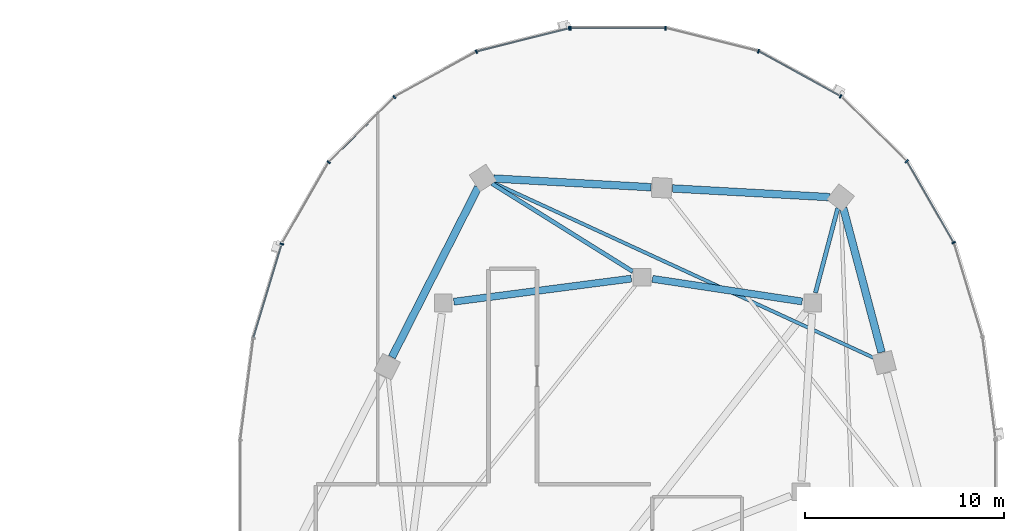
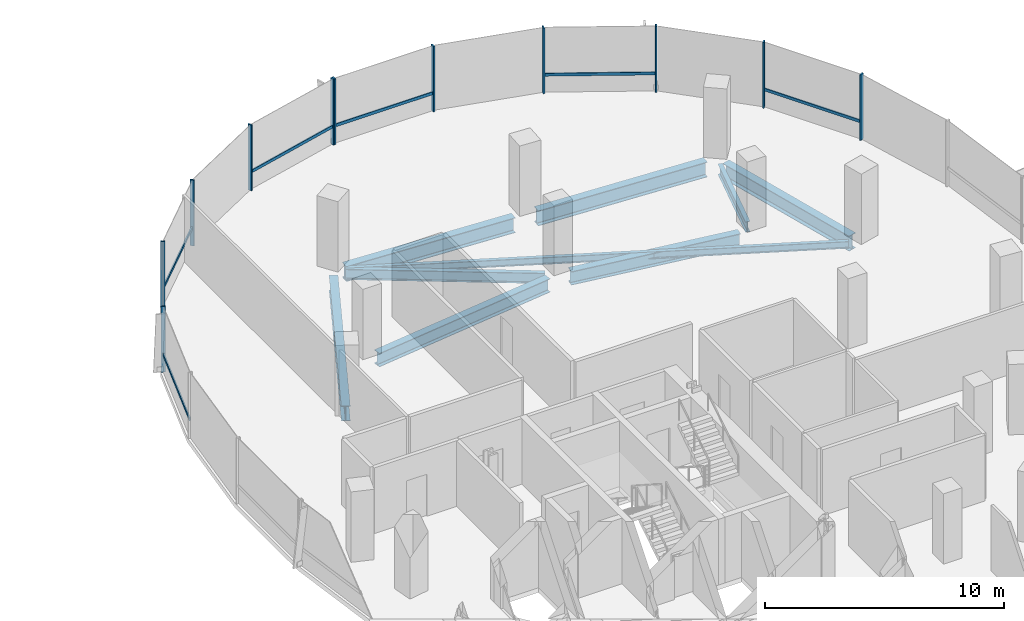
# One storey, part 9 of 22: 17 members, 9 beams, 2 elements without a shape of their own.
"""IFC4 building model written with IfcOpenShell, lengths in metres."""

from ifc_helpers import new_model, si_unit, direction, frame, origin, origin_2d, place, context, subcontext, project, spatial, rectangle, i_section, extrude, material, material_profile, profile_set, type_object, element, aggregate, save


model = new_model("IFC4")

# Units and contexts
model_context = context("Model", 3, precision=1e-05, world=origin(), true_north=direction((0.0, 1.0)))
body_context = subcontext(model_context, "Body", "Model", "MODEL_VIEW")
ifc_project = project(units=[si_unit("LENGTHUNIT", "METRE"), si_unit("AREAUNIT", "SQUARE_METRE"), si_unit("VOLUMEUNIT", "CUBIC_METRE"), si_unit("PLANEANGLEUNIT", "RADIAN"), si_unit("MASSUNIT", "GRAM", prefix="KILO"), si_unit("THERMODYNAMICTEMPERATUREUNIT", "KELVIN"), si_unit("POWERUNIT", "WATT")], contexts=[model_context])

# Site, building, storey
site_placement = place(None, origin())
site = spatial("IfcSite", under=ifc_project, at=site_placement, CompositionType="ELEMENT")
building_placement = place(site_placement, origin())
building = spatial("IfcBuilding", under=site, at=building_placement, Name="Cundina Bronze Exchange", CompositionType="ELEMENT")
storey_placement = place(building_placement, frame((0.0, 0.0, 136.800048828125)))
storey = spatial("IfcBuildingStorey", under=building, at=storey_placement, Name="L35", CompositionType="ELEMENT", Elevation=136.800048828125)

# Beams
ifc_material_1 = material(Name="Steel ASTM A992 Grade 50", Category="steel")
ifc_material_profile_1 = material_profile(ifc_material_1, i_section(OverallWidth=0.2099609375, OverallDepth=0.532958984375, WebThickness=0.01025390625, FlangeThickness=0.015625, FilletRadius=0.013916015625, at=origin_2d()), Name="W21X62", Category="steel")
ifc_profile_set_1 = profile_set([ifc_material_profile_1], Name="Steel ASTM A992 Grade 50")
beam_type_1 = type_object("IfcBeamType", Name="BM-FLR-W21B", PredefinedType="BEAM", material=ifc_profile_set_1)
beam_1_placement = place(storey_placement, frame((41.9375, 10.020263671875, -0.506591796875), z_axis=(0.255357891402, 0.966846599673, 0.0), x_axis=(-0.966846599673, 0.255357891402, 0.0)))
element("IfcBeam", 1, at=beam_1_placement, inside=storey, type_object=beam_type_1, Name="L35 Leg E Chordal Floor Beam 10", PredefinedType="BEAM", context=body_context, shape_type="SweptSolid", body=[
    extrude(i_section(OverallWidth=0.2099609375, OverallDepth=0.532958984375, WebThickness=0.01025390625, FlangeThickness=0.015625, FilletRadius=0.013916015625, at=origin_2d()), origin(), (0.0, 0.0, 1.0), 4.405517578125),
])
beam_2_placement = place(storey_placement, frame((32.743896484375, 11.085205078125, -0.506591796875), z_axis=(-0.848003227047, 0.529991063055, 0.0), x_axis=(-0.529991063055, -0.848003227047, 0.0)))
element("IfcBeam", 2, at=beam_2_placement, inside=storey, type_object=beam_type_1, Name="L35 Leg E Chordal Floor Beam 12", PredefinedType="BEAM", context=body_context, shape_type="SweptSolid", body=[
    extrude(i_section(OverallWidth=0.2099609375, OverallDepth=0.532958984375, WebThickness=0.01025390625, FlangeThickness=0.015625, FilletRadius=0.013916015625, at=origin_2d()), origin(), (0.0, 0.0, 1.0), 8.358154296875),
])
ifc_material_profile_2 = material_profile(ifc_material_1, i_section(OverallWidth=0.172119140625, OverallDepth=0.35791015625, WebThickness=0.0078125, FlangeThickness=0.01318359375, FilletRadius=0.010009765625, at=origin_2d()), Name="W14X38", Category="steel")
ifc_profile_set_2 = profile_set([ifc_material_profile_2], Name="Steel ASTM A992 Grade 50")
beam_type_2 = type_object("IfcBeamType", Name="BM-JST-W14", PredefinedType="JOIST", material=ifc_profile_set_2)
beam_3_placement = place(storey_placement, frame((44.911376953125, 6.72509765625, -0.4189453125), z_axis=(-0.908357076874, 0.41819543385, 0.0), x_axis=(-0.41819543385, -0.908357076874, 0.0)))
element("IfcBeam", 3, at=beam_3_placement, inside=storey, type_object=beam_type_2, Name="L35 Leg E Lobe Floor Joist 09-12", PredefinedType="JOIST", context=body_context, shape_type="SweptSolid", body=[
    extrude(i_section(OverallWidth=0.172119140625, OverallDepth=0.35791015625, WebThickness=0.0078125, FlangeThickness=0.01318359375, FilletRadius=0.010009765625, at=origin_2d()), origin(), (0.0, 0.0, 1.0), 21.162109375),
])
ifc_material_profile_3 = material_profile(ifc_material_1, i_section(OverallWidth=0.35498046875, OverallDepth=0.695068359375, WebThickness=0.015380859375, FlangeThickness=0.02490234375, FilletRadius=0.01806640625, at=origin_2d()), Name="W27X146", Category="steel")
ifc_profile_set_3 = profile_set([ifc_material_profile_3], Name="Steel ASTM A992 Grade 50")
beam_type_3 = type_object("IfcBeamType", Name="BM-RING-W27", PredefinedType="USERDEFINED", material=ifc_profile_set_3)
beam_4_placement = place(storey_placement, frame((41.26806640625, 9.580322265625, -0.587646484375), z_axis=(-0.988767489563, 0.149461873341, 0.0), x_axis=(-0.149461873341, -0.988767489563, 0.0)))
element("IfcBeam", 4, at=beam_4_placement, inside=storey, type_object=beam_type_3, Name="L35 E Inner Structural Ring Girder 05", ObjectType="GIRDER", PredefinedType="USERDEFINED", context=body_context, shape_type="SweptSolid", body=[
    extrude(i_section(OverallWidth=0.35498046875, OverallDepth=0.695068359375, WebThickness=0.015380859375, FlangeThickness=0.02490234375, FilletRadius=0.01806640625, at=origin_2d()), origin(), (0.0, 0.0, 1.0), 7.621826171875),
])
beam_5_placement = place(storey_placement, frame((32.66650390625, 10.730712890625, -0.587646484375), z_axis=(-0.991654577907, -0.128923225666, 0.0), x_axis=(0.128923225666, -0.991654577907, 0.0)))
element("IfcBeam", 5, at=beam_5_placement, inside=storey, type_object=beam_type_3, Name="L35 E Inner Structural Ring Girder 06", ObjectType="GIRDER", PredefinedType="USERDEFINED", context=body_context, shape_type="SweptSolid", body=[
    extrude(i_section(OverallWidth=0.35498046875, OverallDepth=0.695068359375, WebThickness=0.015380859375, FlangeThickness=0.02490234375, FilletRadius=0.01806640625, at=origin_2d()), origin(), (0.0, 0.0, 1.0), 9.00830078125),
])
ifc_material_profile_4 = material_profile(ifc_material_1, i_section(OverallWidth=0.381103515625, OverallDepth=0.77294921875, WebThickness=0.0166015625, FlangeThickness=0.027099609375, FilletRadius=0.01904296875, at=origin_2d()), Name="W30X173", Category="steel")
ifc_profile_set_4 = profile_set([ifc_material_profile_4], Name="Steel ASTM A992 Grade 50")
beam_type_4 = type_object("IfcBeamType", Name="BM-RING-W30", PredefinedType="USERDEFINED", material=ifc_profile_set_4)
beam_6_placement = place(storey_placement, frame((45.26220703125, 7.02001953125, -0.62646484375), z_axis=(-0.256209719931, 0.966621218168, 0.0), x_axis=(-0.966621218168, -0.256209719931, 0.0)))
element("IfcBeam", 6, at=beam_6_placement, inside=storey, type_object=beam_type_4, Name="L35 E Perimeter Ring Girder 09", ObjectType="GIRDER", PredefinedType="USERDEFINED", context=body_context, shape_type="SweptSolid", body=[
    extrude(i_section(OverallWidth=0.381103515625, OverallDepth=0.77294921875, WebThickness=0.0166015625, FlangeThickness=0.027099609375, FilletRadius=0.01904296875, at=origin_2d()), origin(), (0.0, 0.0, 1.0), 7.5107421875),
])
for number, where, z_axis, x_axis, name in (
    (7, (42.662841796875, 14.829833984375, -0.62646484375), (-0.99845950136, 0.055485350721, 0.0), (-0.055485350721, -0.99845950136, 0.0), "L35 E Perimeter Ring Girder 10"),
    (8, (33.662841796875, 15.329833984375, -0.62646484375), (-0.99845950136, 0.055485350721, 0.0), (-0.055485350721, -0.99845950136, 0.0), "L35 E Perimeter Ring Girder 11"),
):
    element("IfcBeam", number, at=place(storey_placement, frame(where, z_axis=z_axis, x_axis=x_axis)), inside=storey, type_object=beam_type_4, Name=name, ObjectType="GIRDER", PredefinedType="USERDEFINED", context=body_context, shape_type="SweptSolid", body=[
        extrude(i_section(OverallWidth=0.381103515625, OverallDepth=0.77294921875, WebThickness=0.0166015625, FlangeThickness=0.027099609375, FilletRadius=0.01904296875, at=origin_2d()), origin(), (0.0, 0.0, 1.0), 7.937744140625),
    ])
beam_7_placement = place(storey_placement, frame((24.956298828125, 15.3203125, -0.62646484375), z_axis=(-0.452832332744, -0.891595692241, 0.0), x_axis=(0.891595692241, -0.452832332744, 0.0)))
element("IfcBeam", 9, at=beam_7_placement, inside=storey, type_object=beam_type_4, Name="L35 E Perimeter Ring Girder 12", ObjectType="GIRDER", PredefinedType="USERDEFINED", context=body_context, shape_type="SweptSolid", body=[
    extrude(i_section(OverallWidth=0.381103515625, OverallDepth=0.77294921875, WebThickness=0.0166015625, FlangeThickness=0.027099609375, FilletRadius=0.01904296875, at=origin_2d()), origin(), (0.0, 0.0, 1.0), 9.578857421875),
])

# Curtain wall, members
ifc_material_2 = material(Name="Anodised Bronze Aluminium 6063-T6", Category="aluminium")
curtain_wall_type = type_object("IfcCurtainWallType", Name="CWS-WST-PIN", PredefinedType="NOTDEFINED", material=ifc_material_2)
curtain_wall_1_placement = place(storey_placement, origin())
curtain_wall_1 = element("IfcCurtainWall", 10, at=curtain_wall_1_placement, inside=storey, type_object=curtain_wall_type, Name="L35 CW-04 Curtain Wall Run CWR-L35-E1", PredefinedType="NOTDEFINED")
ifc_material_profile_5 = material_profile(ifc_material_2, rectangle(XDim=0.070068359375, YDim=0.18994140625, at=origin_2d()), Name="AL70X190", Category="aluminium")
ifc_profile_set_5 = profile_set([ifc_material_profile_5], Name="Anodised Bronze Aluminium 6063-T6")
member_type_1 = type_object("IfcMemberType", Name="CWM-MUL-190", PredefinedType="MULLION", material=ifc_profile_set_5)
member_1_placement = place(storey_placement, frame((48.89794921875, 12.541259765625, 0.0), z_axis=(0.0, 0.0, 1.0), x_axis=(-0.498487739754, 0.866896748936, 0.0)))
member_1 = element("IfcMember", 11, at=member_1_placement, type_object=member_type_1, Name="CW-04 Mullion 3", PredefinedType="MULLION", context=body_context, shape_type="SweptSolid", body=[
    extrude(rectangle(XDim=0.070068359375, YDim=0.18994140625, at=origin_2d()), origin(), (0.0, 0.0, 1.0), 3.35986328125),
])
member_2_placement = place(storey_placement, frame((46.530517578125, 16.640380859375, 0.0), z_axis=(0.0, 0.0, 1.0), x_axis=(-0.712026045991, 0.702153052995, 0.0)))
member_2 = element("IfcMember", 12, at=member_2_placement, type_object=member_type_1, Name="CW-04 Mullion 4", PredefinedType="MULLION", context=body_context, shape_type="SweptSolid", body=[
    extrude(rectangle(XDim=0.070068359375, YDim=0.18994140625, at=origin_2d()), origin(), (0.0, 0.0, 1.0), 3.35986328125),
])
member_3_placement = place(storey_placement, frame((43.20654296875, 19.906005859375, 0.0), z_axis=(0.0, 0.0, 1.0), x_axis=(-0.875885937035, 0.482518212408, 0.0)))
member_3 = element("IfcMember", 13, at=member_3_placement, type_object=member_type_1, Name="CW-04 Mullion 5", PredefinedType="MULLION", context=body_context, shape_type="SweptSolid", body=[
    extrude(rectangle(XDim=0.070068359375, YDim=0.18994140625, at=origin_2d()), origin(), (0.0, 0.0, 1.0), 3.35986328125),
])
member_4_placement = place(storey_placement, frame((39.067626953125, 22.17626953125, 0.0), z_axis=(0.0, 0.0, 1.0), x_axis=(-0.970084240161, 0.242768546132, 0.0)))
member_4 = element("IfcMember", 14, at=member_4_placement, type_object=member_type_1, Name="CW-04 Mullion 6", PredefinedType="MULLION", context=body_context, shape_type="SweptSolid", body=[
    extrude(rectangle(XDim=0.070068359375, YDim=0.18994140625, at=origin_2d()), origin(), (0.0, 0.0, 1.0), 3.35986328125),
])
member_5_placement = place(storey_placement, frame((34.39404296875, 23.3369140625, 0.0), z_axis=(0.0, 0.0, 1.0), x_axis=(-1.0, 0.0, 0.0)))
member_5 = element("IfcMember", 15, at=member_5_placement, type_object=member_type_1, Name="CW-04 Mullion 7", PredefinedType="MULLION", context=body_context, shape_type="SweptSolid", body=[
    extrude(rectangle(XDim=0.070068359375, YDim=0.18994140625, at=origin_2d()), origin(), (0.0, 0.0, 1.0), 3.35986328125),
])
member_6_placement = place(storey_placement, frame((29.60595703125, 23.3369140625, 0.0), z_axis=(0.0, 0.0, 1.0), x_axis=(-1.0, 0.0, 0.0)))
member_6 = element("IfcMember", 16, at=member_6_placement, type_object=member_type_1, Name="CW-04 End Mullion", PredefinedType="MULLION", context=body_context, shape_type="SweptSolid", body=[
    extrude(rectangle(XDim=0.070068359375, YDim=0.18994140625, at=origin_2d()), origin(), (0.0, 0.0, 1.0), 3.35986328125),
])

curtain_wall_2_placement = place(storey_placement, origin())
curtain_wall_2 = element("IfcCurtainWall", 17, at=curtain_wall_2_placement, inside=storey, type_object=curtain_wall_type, Name="L35 CW-04 Curtain Wall Run CWR-L35-E2", PredefinedType="NOTDEFINED")
member_7_placement = place(storey_placement, frame((29.537353515625, 23.32861328125, 0.0), z_axis=(0.0, 0.0, 1.0), x_axis=(-0.970084240161, -0.242768546132, 0.0)))
member_7 = element("IfcMember", 18, at=member_7_placement, type_object=member_type_1, Name="CW-04 Mullion 1", PredefinedType="MULLION", context=body_context, shape_type="SweptSolid", body=[
    extrude(rectangle(XDim=0.070068359375, YDim=0.18994140625, at=origin_2d()), origin(), (0.0, 0.0, 1.0), 3.35986328125),
])
member_8_placement = place(storey_placement, frame((24.86962890625, 22.151611328125, 0.0), z_axis=(0.0, 0.0, 1.0), x_axis=(-0.875885937035, -0.482518212408, 0.0)))
member_8 = element("IfcMember", 19, at=member_8_placement, type_object=member_type_1, Name="CW-04 Mullion 2", PredefinedType="MULLION", context=body_context, shape_type="SweptSolid", body=[
    extrude(rectangle(XDim=0.070068359375, YDim=0.18994140625, at=origin_2d()), origin(), (0.0, 0.0, 1.0), 3.35986328125),
])
member_9_placement = place(storey_placement, frame((20.740966796875, 19.86669921875, 0.0), z_axis=(0.0, 0.0, 1.0), x_axis=(-0.712026045991, -0.702153052995, 0.0)))
member_9 = element("IfcMember", 20, at=member_9_placement, type_object=member_type_1, Name="CW-04 Mullion 3", PredefinedType="MULLION", context=body_context, shape_type="SweptSolid", body=[
    extrude(rectangle(XDim=0.070068359375, YDim=0.18994140625, at=origin_2d()), origin(), (0.0, 0.0, 1.0), 3.35986328125),
])
member_10_placement = place(storey_placement, frame((17.42919921875, 16.588134765625, 0.0), z_axis=(0.0, 0.0, 1.0), x_axis=(-0.498487739754, -0.866896748936, 0.0)))
member_10 = element("IfcMember", 21, at=member_10_placement, type_object=member_type_1, Name="CW-04 Mullion 4", PredefinedType="MULLION", context=body_context, shape_type="SweptSolid", body=[
    extrude(rectangle(XDim=0.070068359375, YDim=0.18994140625, at=origin_2d()), origin(), (0.0, 0.0, 1.0), 3.35986328125),
])
member_11_placement = place(storey_placement, frame((15.07373046875, 12.4755859375, 0.0), z_axis=(0.0, 0.0, 1.0), x_axis=(-0.290034140915, -0.957016299288, 0.0)))
member_11 = element("IfcMember", 22, at=member_11_placement, type_object=member_type_1, Name="CW-04 Mullion 5", PredefinedType="MULLION", context=body_context, shape_type="SweptSolid", body=[
    extrude(rectangle(XDim=0.070068359375, YDim=0.18994140625, at=origin_2d()), origin(), (0.0, 0.0, 1.0), 3.35986328125),
])

# Member
ifc_material_profile_6 = material_profile(ifc_material_2, rectangle(XDim=0.06494140625, YDim=0.14990234375, at=origin_2d()), Name="AL65X150", Category="aluminium")
ifc_profile_set_6 = profile_set([ifc_material_profile_6], Name="Anodised Bronze Aluminium 6063-T6")
member_type_2 = type_object("IfcMemberType", Name="CWM-TRN-150", PredefinedType="USERDEFINED", material=ifc_profile_set_6)
member_12_placement = place(storey_placement, frame((48.878662109375, 12.574462890625, 0.919921875), z_axis=(-0.498479967047, 0.866901218394, 0.0), x_axis=(-0.866901218394, -0.498479967047, 0.0)))
member_12 = element("IfcMember", 23, at=member_12_placement, type_object=member_type_2, Name="CW-04 Spandrel Transom 3", ObjectType="TRANSOM", PredefinedType="USERDEFINED", context=body_context, shape_type="SweptSolid", body=[
    extrude(rectangle(XDim=0.06494140625, YDim=0.14990234375, at=origin_2d()), origin(), (0.0, 0.0, 1.0), 4.66845703125),
])

member_13_placement = place(storey_placement, frame((43.1728515625, 19.924560546875, 0.919921875), z_axis=(-0.875878981549, 0.482530838062, 0.0), x_axis=(-0.482530838062, -0.875878981549, 0.0)))
member_13 = element("IfcMember", 24, at=member_13_placement, type_object=member_type_2, Name="CW-04 Spandrel Transom 5", ObjectType="TRANSOM", PredefinedType="USERDEFINED", context=body_context, shape_type="SweptSolid", body=[
    extrude(rectangle(XDim=0.06494140625, YDim=0.14990234375, at=origin_2d()), origin(), (0.0, 0.0, 1.0), 4.65380859375),
])

member_14_placement = place(storey_placement, frame((34.35546875, 23.3369140625, 0.919921875), z_axis=(-1.0, 0.0, 0.0), x_axis=(0.0, -1.0, 0.0)))
member_14 = element("IfcMember", 25, at=member_14_placement, type_object=member_type_2, Name="CW-04 Spandrel Transom 7", ObjectType="TRANSOM", PredefinedType="USERDEFINED", context=body_context, shape_type="SweptSolid", body=[
    extrude(rectangle(XDim=0.06494140625, YDim=0.14990234375, at=origin_2d()), origin(), (0.0, 0.0, 1.0), 4.7109375),
])

aggregate(curtain_wall_1, [member_1, member_12, member_2, member_3, member_13, member_4, member_5, member_6, member_14])

member_15_placement = place(storey_placement, frame((29.5, 23.319091796875, 0.919921875), z_axis=(-0.970100130035, -0.242705042606, 0.0), x_axis=(0.242705042606, -0.970100130035, 0.0)))
member_15 = element("IfcMember", 26, at=member_15_placement, type_object=member_type_2, Name="CW-04 Spandrel Transom 1", ObjectType="TRANSOM", PredefinedType="USERDEFINED", context=body_context, shape_type="SweptSolid", body=[
    extrude(rectangle(XDim=0.06494140625, YDim=0.14990234375, at=origin_2d()), origin(), (0.0, 0.0, 1.0), 4.746826171875),
])

member_16_placement = place(storey_placement, frame((20.71337890625, 19.839599609375, 0.919921875), z_axis=(-0.712005023839, -0.702174370102, 0.0), x_axis=(0.702174370102, -0.712005023839, 0.0)))
member_16 = element("IfcMember", 27, at=member_16_placement, type_object=member_type_2, Name="CW-04 Spandrel Transom 3", ObjectType="TRANSOM", PredefinedType="USERDEFINED", context=body_context, shape_type="SweptSolid", body=[
    extrude(rectangle(XDim=0.06494140625, YDim=0.14990234375, at=origin_2d()), origin(), (0.0, 0.0, 1.0), 4.594482421875),
])

member_17_placement = place(storey_placement, frame((15.062744140625, 12.43896484375, 0.919921875), z_axis=(-0.290051855969, -0.957010930371, 0.0), x_axis=(0.957010930371, -0.290051855969, 0.0)))
member_17 = element("IfcMember", 28, at=member_17_placement, type_object=member_type_2, Name="CW-04 Spandrel Transom 5", ObjectType="TRANSOM", PredefinedType="USERDEFINED", context=body_context, shape_type="SweptSolid", body=[
    extrude(rectangle(XDim=0.06494140625, YDim=0.14990234375, at=origin_2d()), origin(), (0.0, 0.0, 1.0), 4.876953125),
])

aggregate(curtain_wall_2, [member_7, member_15, member_8, member_9, member_16, member_10, member_11, member_17])

save(model, "model.ifc")
